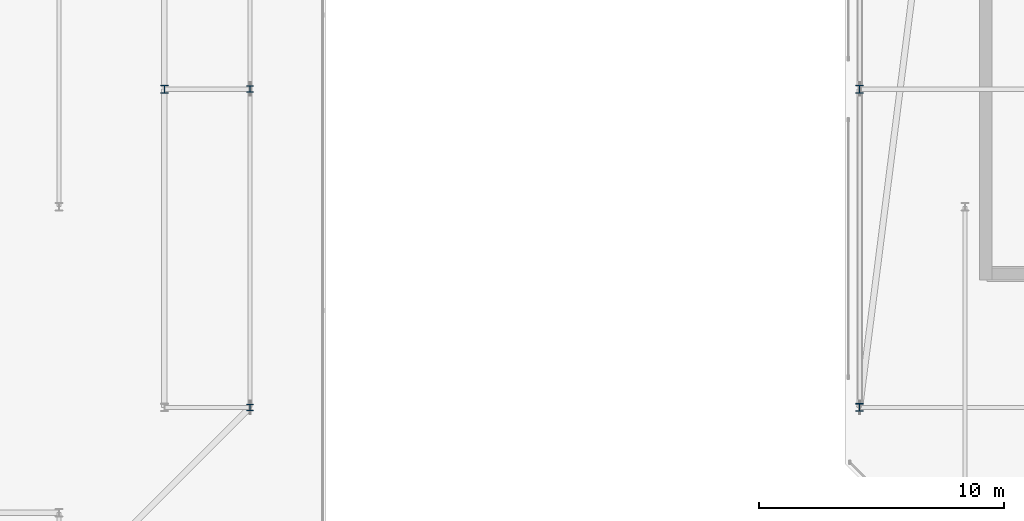
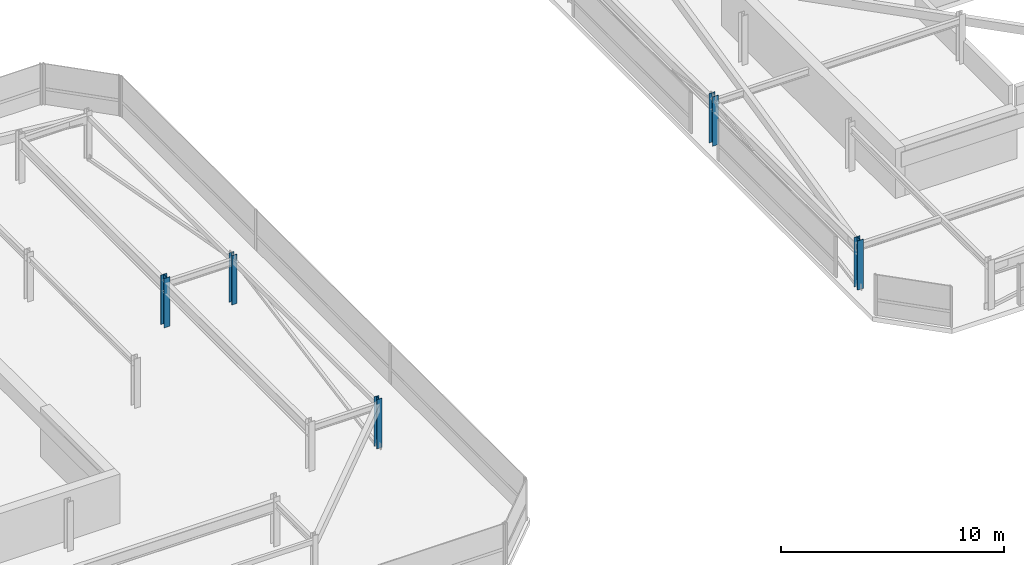
# One storey, part 3 of 44: 5 columns.
"""IFC4 building model written with IfcOpenShell, lengths in metres."""

from ifc_helpers import new_model, si_unit, direction, frame, origin, origin_2d, place, context, subcontext, project, spatial, i_section, extrude, material, material_profile, profile_set, type_object, element, save


model = new_model("IFC4")

# Units and contexts
model_context = context("Model", 3, precision=1e-05, world=origin(), true_north=direction((0.0, 1.0)))
body_context = subcontext(model_context, "Body", "Model", "MODEL_VIEW")
ifc_project = project(units=[si_unit("LENGTHUNIT", "METRE"), si_unit("AREAUNIT", "SQUARE_METRE"), si_unit("VOLUMEUNIT", "CUBIC_METRE"), si_unit("PLANEANGLEUNIT", "RADIAN"), si_unit("MASSUNIT", "GRAM", prefix="KILO")], contexts=[model_context])

# Site, building, storey
site_placement = place(None, origin())
site = spatial("IfcSite", under=ifc_project, at=site_placement, CompositionType="ELEMENT")
building_placement = place(site_placement, origin())
building = spatial("IfcBuilding", under=site, at=building_placement, Name="Thornwick Lancets Civic Towers", CompositionType="ELEMENT")
storey_placement = place(building_placement, frame((0.0, 0.0, 294.89990234375)))
storey = spatial("IfcBuildingStorey", under=building, at=storey_placement, Name="C06", CompositionType="ELEMENT", Elevation=294.89990234375)

# Columns
ifc_material = material(Name="Steel S355JR", Category="steel")
ifc_material_profile_1 = material_profile(ifc_material, i_section(OverallWidth=0.30908203125, OverallDepth=0.320556640625, WebThickness=0.013916015625, FlangeThickness=0.021728515625, FilletRadius=0.01513671875, at=origin_2d()), Name="UKC 305x305x137")
ifc_profile_set_1 = profile_set([ifc_material_profile_1], Name="Steel S355JR")
column_type_1 = type_object("IfcColumnType", Name="COL_UKC_137", PredefinedType="COLUMN", material=ifc_profile_set_1)
for number, where, z_axis, x_axis, name in (
    (1, (42.800048828125, 27.0, 0.0), (0.0, 0.0, 1.0), (1.0, 0.0, 0.0), "C06 Spine Mega-Column A05"),
    (2, (71.199951171875, 14.0, 0.0), (0.0, 0.0, 1.0), (1.0, 0.0, 0.0), "C06 Spine Mega-Column B07"),
    (3, (71.199951171875, 27.0, 0.0), (0.0, 0.0, 1.0), (1.0, 0.0, 0.0), "C06 Spine Mega-Column B08"),
):
    element("IfcColumn", number, at=place(storey_placement, frame(where, z_axis=z_axis, x_axis=x_axis)), inside=storey, type_object=column_type_1, Name=name, PredefinedType="COLUMN", context=body_context, shape_type="SweptSolid", body=[
        extrude(i_section(OverallWidth=0.30908203125, OverallDepth=0.320556640625, WebThickness=0.013916015625, FlangeThickness=0.021728515625, FilletRadius=0.01513671875, at=origin_2d()), origin(), (0.0, 0.0, 1.0), 2.7001953125),
    ])
ifc_material_profile_2 = material_profile(ifc_material, i_section(OverallWidth=0.25634765625, OverallDepth=0.26025390625, WebThickness=0.01025390625, FlangeThickness=0.017333984375, FilletRadius=0.0126953125, at=origin_2d()), Name="UKC 254x254x89")
ifc_profile_set_2 = profile_set([ifc_material_profile_2], Name="Steel S355JR")
column_type_2 = type_object("IfcColumnType", Name="COL_UKC_89", PredefinedType="COLUMN", material=ifc_profile_set_2)
for number, where, z_axis, x_axis, name in (
    (4, (46.300048828125, 14.0, 0.0), (0.0, 0.0, 1.0), (1.0, 0.0, 0.0), "C06 Block Perimeter Column A04"),
    (5, (46.300048828125, 27.0, 0.0), (0.0, 0.0, 1.0), (1.0, 0.0, 0.0), "C06 Block Perimeter Column A05"),
):
    element("IfcColumn", number, at=place(storey_placement, frame(where, z_axis=z_axis, x_axis=x_axis)), inside=storey, type_object=column_type_2, Name=name, PredefinedType="COLUMN", context=body_context, shape_type="SweptSolid", body=[
        extrude(i_section(OverallWidth=0.25634765625, OverallDepth=0.26025390625, WebThickness=0.01025390625, FlangeThickness=0.017333984375, FilletRadius=0.0126953125, at=origin_2d()), origin(), (0.0, 0.0, 1.0), 2.7001953125),
    ])

save(model, "model.ifc")
